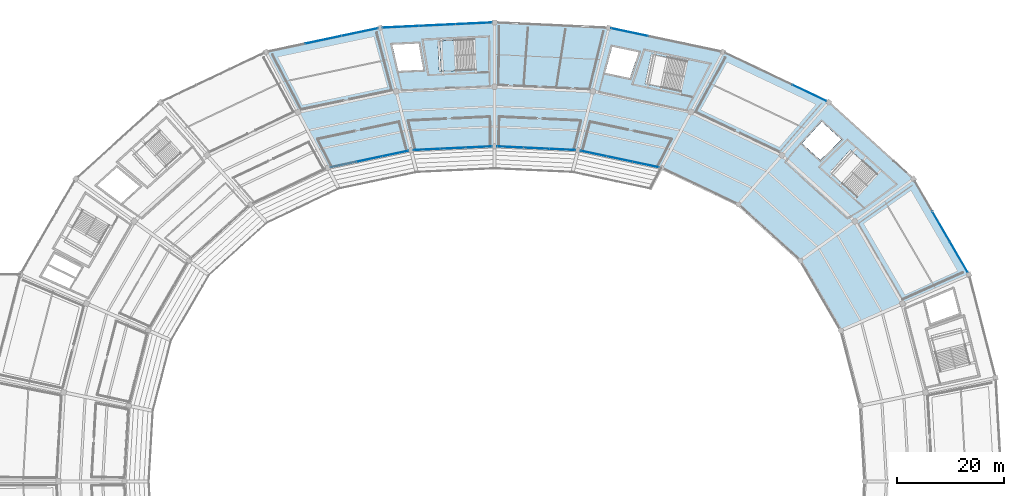
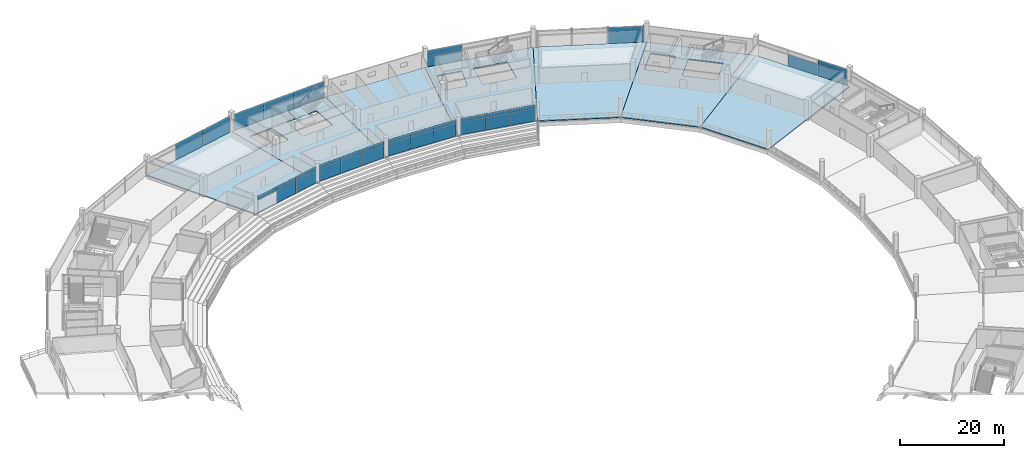
# One storey, part 126 of 171: 40 plates, 8 slabs, 10 elements without a shape of their own.
"""IFC4 building model written with IfcOpenShell, lengths in metres."""

from ifc_helpers import new_model, si_unit, direction, frame, origin, origin_2d, place, context, subcontext, project, spatial, polyline, rectangle, outline, extrude, material, layer, layer_set, type_object, element, aggregate, save


model = new_model("IFC4")

# Units and contexts
model_context = context("Model", 3, precision=1e-05, world=origin(), true_north=direction((0.0, 1.0)))
body_context = subcontext(model_context, "Body", "Model", "MODEL_VIEW")
ifc_project = project(units=[si_unit("LENGTHUNIT", "METRE"), si_unit("AREAUNIT", "SQUARE_METRE"), si_unit("VOLUMEUNIT", "CUBIC_METRE"), si_unit("PLANEANGLEUNIT", "RADIAN"), si_unit("MASSUNIT", "GRAM", prefix="KILO")], contexts=[model_context])

# Site, building, storey
site_placement = place(None, origin())
site = spatial("IfcSite", under=ifc_project, at=site_placement, CompositionType="ELEMENT")
building_placement = place(site_placement, origin())
building = spatial("IfcBuilding", under=site, at=building_placement, Name="Kazemori Nagisa Stadium", CompositionType="ELEMENT")
storey_placement = place(building_placement, frame((0.0, 0.0, 15.639892578125)))
storey = spatial("IfcBuildingStorey", under=building, at=storey_placement, Name="L03", CompositionType="ELEMENT", Elevation=15.639892578125)

# Curtain wall, plates
ifc_material_1 = material(Name="Anodised aluminium 6063-T5", Category="aluminium")
ifc_layer_1 = layer(ifc_material_1, 0.2099609375, Name="Anodised aluminium 6063-T5", Category="aluminium")
ifc_layer_set_1 = layer_set([ifc_layer_1], Name="Anodised aluminium 6063-T5")
curtain_wall_type_1 = type_object("IfcCurtainWallType", Name="CW_L03B_73", PredefinedType="USERDEFINED", material=ifc_layer_set_1)
curtain_wall_1_placement = place(storey_placement, origin())
curtain_wall_1 = element("IfcCurtainWall", 1, at=curtain_wall_1_placement, inside=storey, type_object=curtain_wall_type_1, Name="Unitised curtain wall CW-L03B-73 L03", ObjectType="UNITISED CURTAIN WALL", PredefinedType="USERDEFINED")
ifc_material_2 = material(Name="Anodised aluminium spandrel sheet", Category="aluminium")
ifc_layer_2 = layer(ifc_material_2, 0.047119140625, Name="Anodised aluminium spandrel sheet", Category="aluminium")
ifc_layer_set_2 = layer_set([ifc_layer_2], Name="Anodised aluminium spandrel sheet")
plate_type_1 = type_object("IfcPlateType", Name="CWPanel_SPN_L03B_73", PredefinedType="CURTAIN_PANEL", material=ifc_layer_set_2)
plate_1_placement = place(storey_placement, frame((135.678955078125, 164.180419921875, 3.01025390625), z_axis=(0.0, 0.0, 1.0), x_axis=(-0.998884022476, 0.047230388971, 0.0)))
plate_1 = element("IfcPlate", 2, at=plate_1_placement, type_object=plate_type_1, Name="Curtain wall spandrel panel CW-L03B-73-S1", PredefinedType="CURTAIN_PANEL", context=body_context, shape_type="SweptSolid", body=[
    extrude(rectangle(XDim=4.83935546875, YDim=0.047119140625, at=origin_2d()), origin(), (0.0, 0.0, 1.0), 0.800048828125),
])
plate_2_placement = place(storey_placement, frame((130.821044921875, 164.41015625, 3.01025390625), z_axis=(0.0, 0.0, 1.0), x_axis=(-0.998884022476, 0.047230388971, 0.0)))
plate_2 = element("IfcPlate", 3, at=plate_2_placement, type_object=plate_type_1, Name="Curtain wall spandrel panel CW-L03B-73-S2", PredefinedType="CURTAIN_PANEL", context=body_context, shape_type="SweptSolid", body=[
    extrude(rectangle(XDim=4.83935546875, YDim=0.047119140625, at=origin_2d()), origin(), (0.0, 0.0, 1.0), 0.800048828125),
])
plate_3_placement = place(storey_placement, frame((125.96337890625, 164.639892578125, 3.01025390625), z_axis=(0.0, 0.0, 1.0), x_axis=(-0.998884022476, 0.047230388971, 0.0)))
plate_3 = element("IfcPlate", 4, at=plate_3_placement, type_object=plate_type_1, Name="Curtain wall spandrel panel CW-L03B-73-S3", PredefinedType="CURTAIN_PANEL", context=body_context, shape_type="SweptSolid", body=[
    extrude(rectangle(XDim=4.83935546875, YDim=0.047119140625, at=origin_2d()), origin(), (0.0, 0.0, 1.0), 0.800048828125),
])

curtain_wall_2_placement = place(storey_placement, origin())
curtain_wall_2 = element("IfcCurtainWall", 5, at=curtain_wall_2_placement, inside=storey, type_object=curtain_wall_type_1, Name="Unitised curtain wall CW-L03B-73 L03", ObjectType="UNITISED CURTAIN WALL", PredefinedType="USERDEFINED")
plate_4_placement = place(storey_placement, frame((120.03662109375, 164.639892578125, 3.01025390625), z_axis=(0.0, 0.0, 1.0), x_axis=(-0.998884022476, -0.047230388971, 0.0)))
plate_4 = element("IfcPlate", 6, at=plate_4_placement, type_object=plate_type_1, Name="Curtain wall spandrel panel CW-L03B-73-S1", PredefinedType="CURTAIN_PANEL", context=body_context, shape_type="SweptSolid", body=[
    extrude(rectangle(XDim=4.83935546875, YDim=0.047119140625, at=origin_2d()), origin(), (0.0, 0.0, 1.0), 0.800048828125),
])
plate_5_placement = place(storey_placement, frame((115.178955078125, 164.41015625, 3.01025390625), z_axis=(0.0, 0.0, 1.0), x_axis=(-0.998884022476, -0.047230388971, 0.0)))
plate_5 = element("IfcPlate", 7, at=plate_5_placement, type_object=plate_type_1, Name="Curtain wall spandrel panel CW-L03B-73-S2", PredefinedType="CURTAIN_PANEL", context=body_context, shape_type="SweptSolid", body=[
    extrude(rectangle(XDim=4.83935546875, YDim=0.047119140625, at=origin_2d()), origin(), (0.0, 0.0, 1.0), 0.800048828125),
])
plate_6_placement = place(storey_placement, frame((110.321044921875, 164.180419921875, 3.01025390625), z_axis=(0.0, 0.0, 1.0), x_axis=(-0.998884022476, -0.047230388971, 0.0)))
plate_6 = element("IfcPlate", 8, at=plate_6_placement, type_object=plate_type_1, Name="Curtain wall spandrel panel CW-L03B-73-S3", PredefinedType="CURTAIN_PANEL", context=body_context, shape_type="SweptSolid", body=[
    extrude(rectangle(XDim=4.83935546875, YDim=0.047119140625, at=origin_2d()), origin(), (0.0, 0.0, 1.0), 0.800048828125),
])

ifc_layer_3 = layer(ifc_material_1, 0.2099609375, Name="Anodised aluminium 6063-T5", Category="aluminium")
ifc_layer_set_3 = layer_set([ifc_layer_3], Name="Anodised aluminium 6063-T5")
curtain_wall_type_2 = type_object("IfcCurtainWallType", Name="CW_L03B_75", PredefinedType="USERDEFINED", material=ifc_layer_set_3)
curtain_wall_3_placement = place(storey_placement, origin())
curtain_wall_3 = element("IfcCurtainWall", 9, at=curtain_wall_3_placement, inside=storey, type_object=curtain_wall_type_2, Name="Unitised curtain wall CW-L03B-75 L03", ObjectType="UNITISED CURTAIN WALL", PredefinedType="USERDEFINED")
ifc_layer_4 = layer(ifc_material_2, 0.047119140625, Name="Anodised aluminium spandrel sheet", Category="aluminium")
ifc_layer_set_4 = layer_set([ifc_layer_4], Name="Anodised aluminium spandrel sheet")
plate_type_2 = type_object("IfcPlateType", Name="CWPanel_SPN_L03B_75", PredefinedType="CURTAIN_PANEL", material=ifc_layer_set_4)
plate_7_placement = place(storey_placement, frame((151.297607421875, 161.363037109375, 3.01025390625), z_axis=(0.0, 0.0, 1.0), x_axis=(-0.978344955407, 0.206981033502, 0.0)))
plate_7 = element("IfcPlate", 10, at=plate_7_placement, type_object=plate_type_2, Name="Curtain wall spandrel panel CW-L03B-75-S1", PredefinedType="CURTAIN_PANEL", context=body_context, shape_type="SweptSolid", body=[
    extrude(rectangle(XDim=4.936279296875, YDim=0.047119140625, at=origin_2d()), origin(), (0.0, 0.0, 1.0), 0.800048828125),
])
plate_8_placement = place(storey_placement, frame((146.44482421875, 162.3896484375, 3.01025390625), z_axis=(0.0, 0.0, 1.0), x_axis=(-0.978344955407, 0.206981033502, 0.0)))
plate_8 = element("IfcPlate", 11, at=plate_8_placement, type_object=plate_type_2, Name="Curtain wall spandrel panel CW-L03B-75-S2", PredefinedType="CURTAIN_PANEL", context=body_context, shape_type="SweptSolid", body=[
    extrude(rectangle(XDim=4.936279296875, YDim=0.047119140625, at=origin_2d()), origin(), (0.0, 0.0, 1.0), 0.800048828125),
])
plate_9_placement = place(storey_placement, frame((141.592041015625, 163.416259765625, 3.01025390625), z_axis=(0.0, 0.0, 1.0), x_axis=(-0.978344955407, 0.206981033502, 0.0)))
plate_9 = element("IfcPlate", 12, at=plate_9_placement, type_object=plate_type_2, Name="Curtain wall spandrel panel CW-L03B-75-S3", PredefinedType="CURTAIN_PANEL", context=body_context, shape_type="SweptSolid", body=[
    extrude(rectangle(XDim=4.936279296875, YDim=0.047119140625, at=origin_2d()), origin(), (0.0, 0.0, 1.0), 0.800048828125),
])

curtain_wall_4_placement = place(storey_placement, origin())
curtain_wall_4 = element("IfcCurtainWall", 13, at=curtain_wall_4_placement, inside=storey, type_object=curtain_wall_type_2, Name="Unitised curtain wall CW-L03B-75 L03", ObjectType="UNITISED CURTAIN WALL", PredefinedType="USERDEFINED")
plate_10_placement = place(storey_placement, frame((104.407958984375, 163.416259765625, 3.01025390625), z_axis=(0.0, 0.0, 1.0), x_axis=(-0.978344955407, -0.206981033502, 0.0)))
plate_10 = element("IfcPlate", 14, at=plate_10_placement, type_object=plate_type_2, Name="Curtain wall spandrel panel CW-L03B-75-S1", PredefinedType="CURTAIN_PANEL", context=body_context, shape_type="SweptSolid", body=[
    extrude(rectangle(XDim=4.936279296875, YDim=0.047119140625, at=origin_2d()), origin(), (0.0, 0.0, 1.0), 0.800048828125),
])
plate_11_placement = place(storey_placement, frame((99.55517578125, 162.3896484375, 3.01025390625), z_axis=(0.0, 0.0, 1.0), x_axis=(-0.978344955407, -0.206981033502, 0.0)))
plate_11 = element("IfcPlate", 15, at=plate_11_placement, type_object=plate_type_2, Name="Curtain wall spandrel panel CW-L03B-75-S2", PredefinedType="CURTAIN_PANEL", context=body_context, shape_type="SweptSolid", body=[
    extrude(rectangle(XDim=4.936279296875, YDim=0.047119140625, at=origin_2d()), origin(), (0.0, 0.0, 1.0), 0.800048828125),
])
plate_12_placement = place(storey_placement, frame((94.702392578125, 161.363037109375, 3.01025390625), z_axis=(0.0, 0.0, 1.0), x_axis=(-0.978344955407, -0.206981033502, 0.0)))
plate_12 = element("IfcPlate", 16, at=plate_12_placement, type_object=plate_type_2, Name="Curtain wall spandrel panel CW-L03B-75-S3", PredefinedType="CURTAIN_PANEL", context=body_context, shape_type="SweptSolid", body=[
    extrude(rectangle(XDim=4.936279296875, YDim=0.047119140625, at=origin_2d()), origin(), (0.0, 0.0, 1.0), 0.800048828125),
])

ifc_layer_5 = layer(ifc_material_1, 0.2099609375, Name="Anodised aluminium 6063-T5", Category="aluminium")
ifc_layer_set_5 = layer_set([ifc_layer_5], Name="Anodised aluminium 6063-T5")
curtain_wall_type_3 = type_object("IfcCurtainWallType", Name="CW_L03R3_103", PredefinedType="USERDEFINED", material=ifc_layer_set_5)
curtain_wall_5_placement = place(storey_placement, origin())
curtain_wall_5 = element("IfcCurtainWall", 17, at=curtain_wall_5_placement, inside=storey, type_object=curtain_wall_type_3, Name="Unitised curtain wall CW-L03R3-103 L03", ObjectType="UNITISED CURTAIN WALL", PredefinedType="USERDEFINED")
ifc_layer_6 = layer(ifc_material_2, 0.050048828125, Name="Anodised aluminium spandrel sheet", Category="aluminium")
ifc_layer_set_6 = layer_set([ifc_layer_6], Name="Anodised aluminium spandrel sheet")
plate_type_3 = type_object("IfcPlateType", Name="CWPanel_SPN_L03R3_103", PredefinedType="CURTAIN_PANEL", material=ifc_layer_set_6)
plate_13_placement = place(storey_placement, frame((119.1123046875, 187.816162109375, 2.705078125), z_axis=(0.0, 0.0, 1.0), x_axis=(-0.998884022476, -0.047230388971, 0.0)))
plate_13 = element("IfcPlate", 18, at=plate_13_placement, type_object=plate_type_3, Name="Curtain wall spandrel panel CW-L03R3-103-S1", PredefinedType="CURTAIN_PANEL", context=body_context, shape_type="SweptSolid", body=[
    extrude(rectangle(XDim=6.81005859375, YDim=0.050048828125, at=origin_2d()), origin(), (0.0, 0.0, 1.0), 1.10498046875),
])
plate_14_placement = place(storey_placement, frame((112.2861328125, 187.493408203125, 2.705078125), z_axis=(0.0, 0.0, 1.0), x_axis=(-0.998884022476, -0.047230388971, 0.0)))
plate_14 = element("IfcPlate", 19, at=plate_14_placement, type_object=plate_type_3, Name="Curtain wall spandrel panel CW-L03R3-103-S2", PredefinedType="CURTAIN_PANEL", context=body_context, shape_type="SweptSolid", body=[
    extrude(rectangle(XDim=6.81005859375, YDim=0.050048828125, at=origin_2d()), origin(), (0.0, 0.0, 1.0), 1.10498046875),
])
plate_15_placement = place(storey_placement, frame((105.4599609375, 187.170654296875, 2.705078125), z_axis=(0.0, 0.0, 1.0), x_axis=(-0.998884022476, -0.047230388971, 0.0)))
plate_15 = element("IfcPlate", 20, at=plate_15_placement, type_object=plate_type_3, Name="Curtain wall spandrel panel CW-L03R3-103-S3", PredefinedType="CURTAIN_PANEL", context=body_context, shape_type="SweptSolid", body=[
    extrude(rectangle(XDim=6.81005859375, YDim=0.050048828125, at=origin_2d()), origin(), (0.0, 0.0, 1.0), 1.10498046875),
])

# Curtain wall, plate
ifc_layer_7 = layer(ifc_material_1, 0.2099609375, Name="Anodised aluminium 6063-T5", Category="aluminium")
ifc_layer_set_7 = layer_set([ifc_layer_7], Name="Anodised aluminium 6063-T5")
curtain_wall_type_4 = type_object("IfcCurtainWallType", Name="CW_L03R3_105", PredefinedType="USERDEFINED", material=ifc_layer_set_7)
curtain_wall_6_placement = place(storey_placement, origin())
curtain_wall_6 = element("IfcCurtainWall", 21, at=curtain_wall_6_placement, inside=storey, type_object=curtain_wall_type_4, Name="Unitised curtain wall CW-L03R3-105 L03", ObjectType="UNITISED CURTAIN WALL", PredefinedType="USERDEFINED")
ifc_layer_8 = layer(ifc_material_2, 0.050048828125, Name="Anodised aluminium spandrel sheet", Category="aluminium")
ifc_layer_set_8 = layer_set([ifc_layer_8], Name="Anodised aluminium spandrel sheet")
plate_type_4 = type_object("IfcPlateType", Name="CWPanel_SPN_L03R3_105", PredefinedType="CURTAIN_PANEL", material=ifc_layer_set_8)
plate_16_placement = place(storey_placement, frame((182.01318359375, 174.762451171875, 2.705078125), z_axis=(0.0, 0.0, 1.0), x_axis=(-0.903215892654, 0.429186499388, 0.0)))
plate_16 = element("IfcPlate", 22, at=plate_16_placement, type_object=plate_type_4, Name="Curtain wall spandrel panel CW-L03R3-105-S1", PredefinedType="CURTAIN_PANEL", context=body_context, shape_type="SweptSolid", body=[
    extrude(rectangle(XDim=6.964111328125, YDim=0.050048828125, at=origin_2d()), origin(), (0.0, 0.0, 1.0), 1.10498046875),
])

curtain_wall_7_placement = place(storey_placement, origin())
curtain_wall_7 = element("IfcCurtainWall", 23, at=curtain_wall_7_placement, inside=storey, type_object=curtain_wall_type_4, Name="Unitised curtain wall CW-L03R3-105 L03", ObjectType="UNITISED CURTAIN WALL", PredefinedType="USERDEFINED")
plate_17_placement = place(storey_placement, frame((148.30029296875, 186.16748046875, 2.705078125), z_axis=(0.0, 0.0, 1.0), x_axis=(-0.978344955407, 0.206981033502, 0.0)))
plate_17 = element("IfcPlate", 24, at=plate_17_placement, type_object=plate_type_4, Name="Curtain wall spandrel panel CW-L03R3-105-S3", PredefinedType="CURTAIN_PANEL", context=body_context, shape_type="SweptSolid", body=[
    extrude(rectangle(XDim=6.942626953125, YDim=0.050048828125, at=origin_2d()), origin(), (0.0, 0.0, 1.0), 1.10498046875),
])

# Curtain wall, plates
curtain_wall_8_placement = place(storey_placement, origin())
curtain_wall_8 = element("IfcCurtainWall", 25, at=curtain_wall_8_placement, inside=storey, type_object=curtain_wall_type_4, Name="Unitised curtain wall CW-L03R3-105 L03", ObjectType="UNITISED CURTAIN WALL", PredefinedType="USERDEFINED")
plate_18_placement = place(storey_placement, frame((97.69970703125, 186.16748046875, 2.705078125), z_axis=(0.0, 0.0, 1.0), x_axis=(-0.978344955407, -0.206981033502, 0.0)))
plate_18 = element("IfcPlate", 26, at=plate_18_placement, type_object=plate_type_4, Name="Curtain wall spandrel panel CW-L03R3-105-S1", PredefinedType="CURTAIN_PANEL", context=body_context, shape_type="SweptSolid", body=[
    extrude(rectangle(XDim=6.942626953125, YDim=0.050048828125, at=origin_2d()), origin(), (0.0, 0.0, 1.0), 1.10498046875),
])
plate_19_placement = place(storey_placement, frame((90.8837890625, 184.7255859375, 2.705078125), z_axis=(0.0, 0.0, 1.0), x_axis=(-0.978344955407, -0.206981033502, 0.0)))
plate_19 = element("IfcPlate", 27, at=plate_19_placement, type_object=plate_type_4, Name="Curtain wall spandrel panel CW-L03R3-105-S2", PredefinedType="CURTAIN_PANEL", context=body_context, shape_type="SweptSolid", body=[
    extrude(rectangle(XDim=6.942626953125, YDim=0.050048828125, at=origin_2d()), origin(), (0.0, 0.0, 1.0), 1.10498046875),
])

# Curtain wall, plate
ifc_layer_9 = layer(ifc_material_1, 0.2099609375, Name="Anodised aluminium 6063-T5", Category="aluminium")
ifc_layer_set_9 = layer_set([ifc_layer_9], Name="Anodised aluminium 6063-T5")
curtain_wall_type_5 = type_object("IfcCurtainWallType", Name="CW_L03R3_99", PredefinedType="USERDEFINED", material=ifc_layer_set_9)
curtain_wall_9_placement = place(storey_placement, origin())
curtain_wall_9 = element("IfcCurtainWall", 28, at=curtain_wall_9_placement, inside=storey, type_object=curtain_wall_type_5, Name="Unitised curtain wall CW-L03R3-99 L03", ObjectType="UNITISED CURTAIN WALL", PredefinedType="USERDEFINED")
ifc_layer_10 = layer(ifc_material_2, 0.050048828125, Name="Anodised aluminium spandrel sheet", Category="aluminium")
ifc_layer_set_10 = layer_set([ifc_layer_10], Name="Anodised aluminium spandrel sheet")
plate_type_5 = type_object("IfcPlateType", Name="CWPanel_SPN_L03R3_99", PredefinedType="CURTAIN_PANEL", material=ifc_layer_set_10)
plate_20_placement = place(storey_placement, frame((209.994384765625, 144.009765625, 2.705078125), z_axis=(0.0, 0.0, 1.0), x_axis=(-0.501611590054, 0.865092950337, 0.0)))
plate_20 = element("IfcPlate", 29, at=plate_20_placement, type_object=plate_type_5, Name="Curtain wall spandrel panel CW-L03R3-99-S1", PredefinedType="CURTAIN_PANEL", context=body_context, shape_type="SweptSolid", body=[
    extrude(rectangle(XDim=6.563232421875, YDim=0.050048828125, at=origin_2d()), origin(), (0.0, 0.0, 1.0), 1.10498046875),
])

# Plate
ifc_material_3 = material(Name="Low-e laminated double glazing", Category="glass")
ifc_layer_11 = layer(ifc_material_3, 0.033935546875, Name="Low-e laminated double glazing", Category="glass")
ifc_layer_set_11 = layer_set([ifc_layer_11], Name="Low-e laminated double glazing")
plate_type_6 = type_object("IfcPlateType", Name="CWPanel_VIS_L03B_73", PredefinedType="CURTAIN_PANEL", material=ifc_layer_set_11)
plate_21_placement = place(storey_placement, frame((135.678955078125, 164.180419921875, 0.0), z_axis=(0.0, 0.0, 1.0), x_axis=(-0.998884022476, 0.047230388971, 0.0)))
plate_21 = element("IfcPlate", 30, at=plate_21_placement, type_object=plate_type_6, Name="Curtain wall vision panel CW-L03B-73-V1", PredefinedType="CURTAIN_PANEL", context=body_context, shape_type="SweptSolid", body=[
    extrude(rectangle(XDim=4.83935546875, YDim=0.033935546875, at=origin_2d()), origin(), (0.0, 0.0, 1.0), 3.010009765625),
])

plate_22_placement = place(storey_placement, frame((130.821044921875, 164.41015625, 0.0), z_axis=(0.0, 0.0, 1.0), x_axis=(-0.998884022476, 0.047230388971, 0.0)))
plate_22 = element("IfcPlate", 31, at=plate_22_placement, type_object=plate_type_6, Name="Curtain wall vision panel CW-L03B-73-V2", PredefinedType="CURTAIN_PANEL", context=body_context, shape_type="SweptSolid", body=[
    extrude(rectangle(XDim=4.83935546875, YDim=0.033935546875, at=origin_2d()), origin(), (0.0, 0.0, 1.0), 3.010009765625),
])

plate_23_placement = place(storey_placement, frame((125.96337890625, 164.639892578125, 0.0), z_axis=(0.0, 0.0, 1.0), x_axis=(-0.998884022476, 0.047230388971, 0.0)))
plate_23 = element("IfcPlate", 32, at=plate_23_placement, type_object=plate_type_6, Name="Curtain wall vision panel CW-L03B-73-V3", PredefinedType="CURTAIN_PANEL", context=body_context, shape_type="SweptSolid", body=[
    extrude(rectangle(XDim=4.83935546875, YDim=0.033935546875, at=origin_2d()), origin(), (0.0, 0.0, 1.0), 3.010009765625),
])

aggregate(curtain_wall_1, [plate_21, plate_1, plate_22, plate_2, plate_23, plate_3])

plate_24_placement = place(storey_placement, frame((120.03662109375, 164.639892578125, 0.0), z_axis=(0.0, 0.0, 1.0), x_axis=(-0.998884022476, -0.047230388971, 0.0)))
plate_24 = element("IfcPlate", 33, at=plate_24_placement, type_object=plate_type_6, Name="Curtain wall vision panel CW-L03B-73-V1", PredefinedType="CURTAIN_PANEL", context=body_context, shape_type="SweptSolid", body=[
    extrude(rectangle(XDim=4.83935546875, YDim=0.033935546875, at=origin_2d()), origin(), (0.0, 0.0, 1.0), 3.010009765625),
])

plate_25_placement = place(storey_placement, frame((115.178955078125, 164.41015625, 0.0), z_axis=(0.0, 0.0, 1.0), x_axis=(-0.998884022476, -0.047230388971, 0.0)))
plate_25 = element("IfcPlate", 34, at=plate_25_placement, type_object=plate_type_6, Name="Curtain wall vision panel CW-L03B-73-V2", PredefinedType="CURTAIN_PANEL", context=body_context, shape_type="SweptSolid", body=[
    extrude(rectangle(XDim=4.83935546875, YDim=0.033935546875, at=origin_2d()), origin(), (0.0, 0.0, 1.0), 3.010009765625),
])

plate_26_placement = place(storey_placement, frame((110.321044921875, 164.180419921875, 0.0), z_axis=(0.0, 0.0, 1.0), x_axis=(-0.998884022476, -0.047230388971, 0.0)))
plate_26 = element("IfcPlate", 35, at=plate_26_placement, type_object=plate_type_6, Name="Curtain wall vision panel CW-L03B-73-V3", PredefinedType="CURTAIN_PANEL", context=body_context, shape_type="SweptSolid", body=[
    extrude(rectangle(XDim=4.83935546875, YDim=0.033935546875, at=origin_2d()), origin(), (0.0, 0.0, 1.0), 3.010009765625),
])

aggregate(curtain_wall_2, [plate_24, plate_4, plate_25, plate_5, plate_26, plate_6])

ifc_layer_12 = layer(ifc_material_3, 0.033935546875, Name="Low-e laminated double glazing", Category="glass")
ifc_layer_set_12 = layer_set([ifc_layer_12], Name="Low-e laminated double glazing")
plate_type_7 = type_object("IfcPlateType", Name="CWPanel_VIS_L03B_75", PredefinedType="CURTAIN_PANEL", material=ifc_layer_set_12)
plate_27_placement = place(storey_placement, frame((151.297607421875, 161.363037109375, 0.0), z_axis=(0.0, 0.0, 1.0), x_axis=(-0.978344955407, 0.206981033502, 0.0)))
plate_27 = element("IfcPlate", 36, at=plate_27_placement, type_object=plate_type_7, Name="Curtain wall vision panel CW-L03B-75-V1", PredefinedType="CURTAIN_PANEL", context=body_context, shape_type="SweptSolid", body=[
    extrude(rectangle(XDim=4.936279296875, YDim=0.033935546875, at=origin_2d()), origin(), (0.0, 0.0, 1.0), 3.010009765625),
])

plate_28_placement = place(storey_placement, frame((146.44482421875, 162.3896484375, 0.0), z_axis=(0.0, 0.0, 1.0), x_axis=(-0.978344955407, 0.206981033502, 0.0)))
plate_28 = element("IfcPlate", 37, at=plate_28_placement, type_object=plate_type_7, Name="Curtain wall vision panel CW-L03B-75-V2", PredefinedType="CURTAIN_PANEL", context=body_context, shape_type="SweptSolid", body=[
    extrude(rectangle(XDim=4.936279296875, YDim=0.033935546875, at=origin_2d()), origin(), (0.0, 0.0, 1.0), 3.010009765625),
])

plate_29_placement = place(storey_placement, frame((141.592041015625, 163.416259765625, 0.0), z_axis=(0.0, 0.0, 1.0), x_axis=(-0.978344955407, 0.206981033502, 0.0)))
plate_29 = element("IfcPlate", 38, at=plate_29_placement, type_object=plate_type_7, Name="Curtain wall vision panel CW-L03B-75-V3", PredefinedType="CURTAIN_PANEL", context=body_context, shape_type="SweptSolid", body=[
    extrude(rectangle(XDim=4.936279296875, YDim=0.033935546875, at=origin_2d()), origin(), (0.0, 0.0, 1.0), 3.010009765625),
])

aggregate(curtain_wall_3, [plate_27, plate_7, plate_28, plate_8, plate_29, plate_9])

plate_30_placement = place(storey_placement, frame((104.407958984375, 163.416259765625, 0.0), z_axis=(0.0, 0.0, 1.0), x_axis=(-0.978344955407, -0.206981033502, 0.0)))
plate_30 = element("IfcPlate", 39, at=plate_30_placement, type_object=plate_type_7, Name="Curtain wall vision panel CW-L03B-75-V1", PredefinedType="CURTAIN_PANEL", context=body_context, shape_type="SweptSolid", body=[
    extrude(rectangle(XDim=4.936279296875, YDim=0.033935546875, at=origin_2d()), origin(), (0.0, 0.0, 1.0), 3.010009765625),
])

plate_31_placement = place(storey_placement, frame((99.55517578125, 162.3896484375, 0.0), z_axis=(0.0, 0.0, 1.0), x_axis=(-0.978344955407, -0.206981033502, 0.0)))
plate_31 = element("IfcPlate", 40, at=plate_31_placement, type_object=plate_type_7, Name="Curtain wall vision panel CW-L03B-75-V2", PredefinedType="CURTAIN_PANEL", context=body_context, shape_type="SweptSolid", body=[
    extrude(rectangle(XDim=4.936279296875, YDim=0.033935546875, at=origin_2d()), origin(), (0.0, 0.0, 1.0), 3.010009765625),
])

aggregate(curtain_wall_4, [plate_30, plate_10, plate_31, plate_11, plate_12])

ifc_layer_13 = layer(ifc_material_3, 0.031982421875, Name="Low-e laminated double glazing", Category="glass")
ifc_layer_set_13 = layer_set([ifc_layer_13], Name="Low-e laminated double glazing")
plate_type_8 = type_object("IfcPlateType", Name="CWPanel_VIS_L03R3_103", PredefinedType="CURTAIN_PANEL", material=ifc_layer_set_13)
plate_32_placement = place(storey_placement, frame((119.1123046875, 187.816162109375, 0.0), z_axis=(0.0, 0.0, 1.0), x_axis=(-0.998884022476, -0.047230388971, 0.0)))
plate_32 = element("IfcPlate", 41, at=plate_32_placement, type_object=plate_type_8, Name="Curtain wall vision panel CW-L03R3-103-V1", PredefinedType="CURTAIN_PANEL", context=body_context, shape_type="SweptSolid", body=[
    extrude(rectangle(XDim=6.81005859375, YDim=0.031982421875, at=origin_2d()), origin(), (0.0, 0.0, 1.0), 2.705078125),
])

plate_33_placement = place(storey_placement, frame((112.2861328125, 187.493408203125, 0.0), z_axis=(0.0, 0.0, 1.0), x_axis=(-0.998884022476, -0.047230388971, 0.0)))
plate_33 = element("IfcPlate", 42, at=plate_33_placement, type_object=plate_type_8, Name="Curtain wall vision panel CW-L03R3-103-V2", PredefinedType="CURTAIN_PANEL", context=body_context, shape_type="SweptSolid", body=[
    extrude(rectangle(XDim=6.81005859375, YDim=0.031982421875, at=origin_2d()), origin(), (0.0, 0.0, 1.0), 2.705078125),
])

plate_34_placement = place(storey_placement, frame((105.4599609375, 187.170654296875, 0.0), z_axis=(0.0, 0.0, 1.0), x_axis=(-0.998884022476, -0.047230388971, 0.0)))
plate_34 = element("IfcPlate", 43, at=plate_34_placement, type_object=plate_type_8, Name="Curtain wall vision panel CW-L03R3-103-V3", PredefinedType="CURTAIN_PANEL", context=body_context, shape_type="SweptSolid", body=[
    extrude(rectangle(XDim=6.81005859375, YDim=0.031982421875, at=origin_2d()), origin(), (0.0, 0.0, 1.0), 2.705078125),
])

aggregate(curtain_wall_5, [plate_32, plate_13, plate_33, plate_14, plate_34, plate_15])

ifc_layer_14 = layer(ifc_material_3, 0.031982421875, Name="Low-e laminated double glazing", Category="glass")
ifc_layer_set_14 = layer_set([ifc_layer_14], Name="Low-e laminated double glazing")
plate_type_9 = type_object("IfcPlateType", Name="CWPanel_VIS_L03R3_105", PredefinedType="CURTAIN_PANEL", material=ifc_layer_set_14)
plate_35_placement = place(storey_placement, frame((182.01318359375, 174.762451171875, 0.0), z_axis=(0.0, 0.0, 1.0), x_axis=(-0.903215892654, 0.429186499388, 0.0)))
plate_35 = element("IfcPlate", 44, at=plate_35_placement, type_object=plate_type_9, Name="Curtain wall vision panel CW-L03R3-105-V1", PredefinedType="CURTAIN_PANEL", context=body_context, shape_type="SweptSolid", body=[
    extrude(rectangle(XDim=6.964111328125, YDim=0.031982421875, at=origin_2d()), origin(), (0.0, 0.0, 1.0), 2.705078125),
])

aggregate(curtain_wall_6, [plate_35, plate_16])

plate_36_placement = place(storey_placement, frame((148.30029296875, 186.16748046875, 0.0), z_axis=(0.0, 0.0, 1.0), x_axis=(-0.978344955407, 0.206981033502, 0.0)))
plate_36 = element("IfcPlate", 45, at=plate_36_placement, type_object=plate_type_9, Name="Curtain wall vision panel CW-L03R3-105-V3", PredefinedType="CURTAIN_PANEL", context=body_context, shape_type="SweptSolid", body=[
    extrude(rectangle(XDim=6.942626953125, YDim=0.031982421875, at=origin_2d()), origin(), (0.0, 0.0, 1.0), 2.705078125),
])

aggregate(curtain_wall_7, [plate_36, plate_17])

plate_37_placement = place(storey_placement, frame((97.69970703125, 186.16748046875, 0.0), z_axis=(0.0, 0.0, 1.0), x_axis=(-0.978344955407, -0.206981033502, 0.0)))
plate_37 = element("IfcPlate", 46, at=plate_37_placement, type_object=plate_type_9, Name="Curtain wall vision panel CW-L03R3-105-V1", PredefinedType="CURTAIN_PANEL", context=body_context, shape_type="SweptSolid", body=[
    extrude(rectangle(XDim=6.942626953125, YDim=0.031982421875, at=origin_2d()), origin(), (0.0, 0.0, 1.0), 2.705078125),
])

plate_38_placement = place(storey_placement, frame((90.8837890625, 184.7255859375, 0.0), z_axis=(0.0, 0.0, 1.0), x_axis=(-0.978344955407, -0.206981033502, 0.0)))
plate_38 = element("IfcPlate", 47, at=plate_38_placement, type_object=plate_type_9, Name="Curtain wall vision panel CW-L03R3-105-V2", PredefinedType="CURTAIN_PANEL", context=body_context, shape_type="SweptSolid", body=[
    extrude(rectangle(XDim=6.942626953125, YDim=0.031982421875, at=origin_2d()), origin(), (0.0, 0.0, 1.0), 2.705078125),
])

aggregate(curtain_wall_8, [plate_37, plate_18, plate_38, plate_19])

ifc_layer_15 = layer(ifc_material_3, 0.031982421875, Name="Low-e laminated double glazing", Category="glass")
ifc_layer_set_15 = layer_set([ifc_layer_15], Name="Low-e laminated double glazing")
plate_type_10 = type_object("IfcPlateType", Name="CWPanel_VIS_L03R3_99", PredefinedType="CURTAIN_PANEL", material=ifc_layer_set_15)
plate_39_placement = place(storey_placement, frame((209.994384765625, 144.009765625, 0.0), z_axis=(0.0, 0.0, 1.0), x_axis=(-0.501611590054, 0.865092950337, 0.0)))
plate_39 = element("IfcPlate", 48, at=plate_39_placement, type_object=plate_type_10, Name="Curtain wall vision panel CW-L03R3-99-V1", PredefinedType="CURTAIN_PANEL", context=body_context, shape_type="SweptSolid", body=[
    extrude(rectangle(XDim=6.563232421875, YDim=0.031982421875, at=origin_2d()), origin(), (0.0, 0.0, 1.0), 2.705078125),
])

plate_40_placement = place(storey_placement, frame((206.690185546875, 149.70849609375, 0.0), z_axis=(0.0, 0.0, 1.0), x_axis=(-0.501611590054, 0.865092950337, 0.0)))
plate_40 = element("IfcPlate", 49, at=plate_40_placement, type_object=plate_type_10, Name="Curtain wall vision panel CW-L03R3-99-V2", PredefinedType="CURTAIN_PANEL", context=body_context, shape_type="SweptSolid", body=[
    extrude(rectangle(XDim=6.563232421875, YDim=0.031982421875, at=origin_2d()), origin(), (0.0, 0.0, 1.0), 2.705078125),
])

aggregate(curtain_wall_9, [plate_39, plate_20, plate_40])

# Slabs
ifc_material_4 = material(Name="Concrete C36/45 (Fc36)", Category="concrete")
ifc_layer_16 = layer(ifc_material_4, 0.260009765625, Name="Concrete C36/45 (Fc36)", Category="concrete")
ifc_layer_set_16 = layer_set([ifc_layer_16], Name="Concrete C36/45 (Fc36)")
slab_type_1 = type_object("IfcSlabType", Name="Slab_SL-CLUB-260", PredefinedType="FLOOR", material=ifc_layer_set_16)
slab_1_placement = place(storey_placement, frame((0.0, 0.0, -0.260009765625)))
element("IfcSlab", 50, at=slab_1_placement, inside=storey, type_object=slab_type_1, Name="Concourse floor slab L03 bay 03", PredefinedType="FLOOR", context=body_context, shape_type="SweptSolid", body=[
    extrude(outline(polyline([(187.885986328125, 130.287109375), (180.301513671875, 143.367431640625), (201.495361328125, 158.667724609375), (211.885009765625, 140.74951171875), (187.885986328125, 130.287109375)])), origin(), (0.0, 0.0, 1.0), 0.260009765625),
])
slab_2_placement = place(storey_placement, frame((0.0, 0.0, -0.260009765625)))
element("IfcSlab", 51, at=slab_2_placement, inside=storey, type_object=slab_type_1, Name="Concourse floor slab L03 bay 04", PredefinedType="FLOOR", context=body_context, shape_type="SweptSolid", body=[
    extrude(outline(polyline([(180.301513671875, 143.367431640625), (168.696533203125, 153.873046875), (185.597900390625, 173.05908203125), (201.495361328125, 158.667724609375), (180.301513671875, 143.367431640625)]), holes=[polyline([(190.87646484375, 155.334228515625), (185.827880859375, 159.904541015625), (189.653076171875, 164.13037109375), (194.70166015625, 159.56005859375), (190.87646484375, 155.334228515625)]), polyline([(184.043701171875, 162.204345703125), (180.594482421875, 165.32666015625), (184.289794921875, 169.3896484375), (187.960205078125, 166.06689453125), (184.043701171875, 162.204345703125)])]), origin(), (0.0, 0.0, 1.0), 0.260009765625),
])
slab_3_placement = place(storey_placement, frame((0.0, 0.0, -0.260009765625)))
element("IfcSlab", 52, at=slab_3_placement, inside=storey, type_object=slab_type_1, Name="Concourse floor slab L03 bay 05", PredefinedType="FLOOR", context=body_context, shape_type="SweptSolid", body=[
    extrude(outline(polyline([(168.696533203125, 153.873046875), (154.24755859375, 160.739013671875), (165.8046875, 182.46435546875), (185.597900390625, 173.05908203125), (168.696533203125, 153.873046875)])), origin(), (0.0, 0.0, 1.0), 0.260009765625),
])
slab_4_placement = place(storey_placement, frame((0.0, 0.0, -0.260009765625)))
element("IfcSlab", 53, at=slab_4_placement, inside=storey, type_object=slab_type_1, Name="Concourse floor slab L03 bay 06", PredefinedType="FLOOR", context=body_context, shape_type="SweptSolid", body=[
    extrude(outline(polyline([(154.24755859375, 160.739013671875), (138.64208984375, 164.040283203125), (144.427734375, 186.98681640625), (165.8046875, 182.46435546875), (154.24755859375, 160.739013671875)]), holes=[polyline([(157.87890625, 175.08642578125), (151.21630859375, 176.49609375), (152.39599609375, 182.072509765625), (159.05859375, 180.6630859375), (157.87890625, 175.08642578125)]), polyline([(148.361328125, 177.560791015625), (143.723388671875, 178.5419921875), (145.052978515625, 183.452880859375), (149.988525390625, 182.40869140625), (148.361328125, 177.560791015625)])]), origin(), (0.0, 0.0, 1.0), 0.260009765625),
])
slab_5_placement = place(storey_placement, frame((0.0, 0.0, -0.260009765625)))
element("IfcSlab", 54, at=slab_5_placement, inside=storey, type_object=slab_type_1, Name="Concourse floor slab L03 bay 07", PredefinedType="FLOOR", context=body_context, shape_type="SweptSolid", body=[
    extrude(outline(polyline([(138.64208984375, 164.040283203125), (123.0, 164.780029296875), (123.0, 188.0), (144.427734375, 186.98681640625), (138.64208984375, 164.040283203125)])), origin(), (0.0, 0.0, 1.0), 0.260009765625),
])
slab_6_placement = place(storey_placement, frame((0.0, 0.0, -0.260009765625)))
element("IfcSlab", 55, at=slab_6_placement, inside=storey, type_object=slab_type_1, Name="Concourse floor slab L03 bay 08", PredefinedType="FLOOR", context=body_context, shape_type="SweptSolid", body=[
    extrude(outline(polyline([(123.0, 164.780029296875), (107.35791015625, 164.040283203125), (101.572265625, 186.98681640625), (123.0, 188.0), (123.0, 164.780029296875)]), holes=[polyline([(119.452392578125, 179.138427734375), (112.650146484375, 178.81689453125), (112.380859375, 184.510498046875), (119.18310546875, 184.832275390625), (119.452392578125, 179.138427734375)]), polyline([(109.63427734375, 179.112060546875), (104.9853515625, 178.89208984375), (103.82958984375, 183.825439453125), (108.77685546875, 184.0595703125), (109.63427734375, 179.112060546875)])]), origin(), (0.0, 0.0, 1.0), 0.260009765625),
])
slab_7_placement = place(storey_placement, frame((0.0, 0.0, -0.260009765625)))
element("IfcSlab", 56, at=slab_7_placement, inside=storey, type_object=slab_type_1, Name="Concourse floor slab L03 bay 09", PredefinedType="FLOOR", context=body_context, shape_type="SweptSolid", body=[
    extrude(outline(polyline([(107.35791015625, 164.040283203125), (91.75244140625, 160.739013671875), (80.1953125, 182.46435546875), (101.572265625, 186.98681640625), (107.35791015625, 164.040283203125)])), origin(), (0.0, 0.0, 1.0), 0.260009765625),
])

# Stair, slab
stair_type = type_object("IfcStairType", Name="Stair_CORE_28", PredefinedType="TWO_STRAIGHT_RUN_STAIR", material=ifc_material_4)
stair_placement = place(storey_placement, origin())
stair = element("IfcStair", 57, at=stair_placement, inside=storey, type_object=stair_type, Name="Exit stair ST05 L03", PredefinedType="TWO_STRAIGHT_RUN_STAIR")
ifc_layer_17 = layer(ifc_material_4, 0.199951171875, Name="Concrete C36/45 (Fc36)", Category="concrete")
ifc_layer_set_17 = layer_set([ifc_layer_17], Name="Concrete C36/45 (Fc36)")
slab_type_2 = type_object("IfcSlabType", Name="Slab_SL-LND-200", PredefinedType="LANDING", material=ifc_layer_set_17)
slab_8_placement = place(storey_placement, frame((0.0, 0.0, 2.18017578125)))
slab_8 = element("IfcSlab", 58, at=slab_8_placement, type_object=slab_type_2, Name="Exit stair ST05 L03 mid-landing", PredefinedType="LANDING", context=body_context, shape_type="SweptSolid", body=[
    extrude(outline(polyline([(115.781494140625, 178.965087890625), (112.934814453125, 178.830322265625), (112.66552734375, 184.52392578125), (115.51220703125, 184.65869140625), (115.781494140625, 178.965087890625)])), origin(), (0.0, 0.0, 1.0), 0.199951171875),
])
aggregate(stair, [slab_8])

save(model, "model.ifc")
